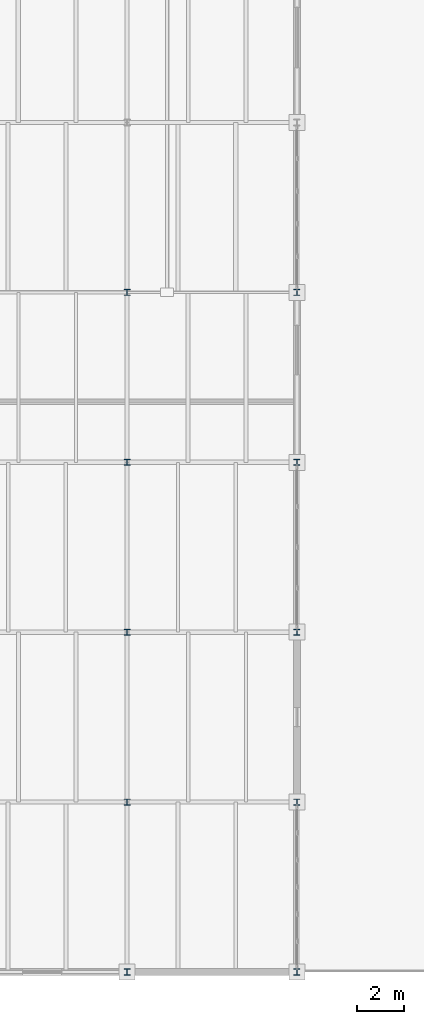
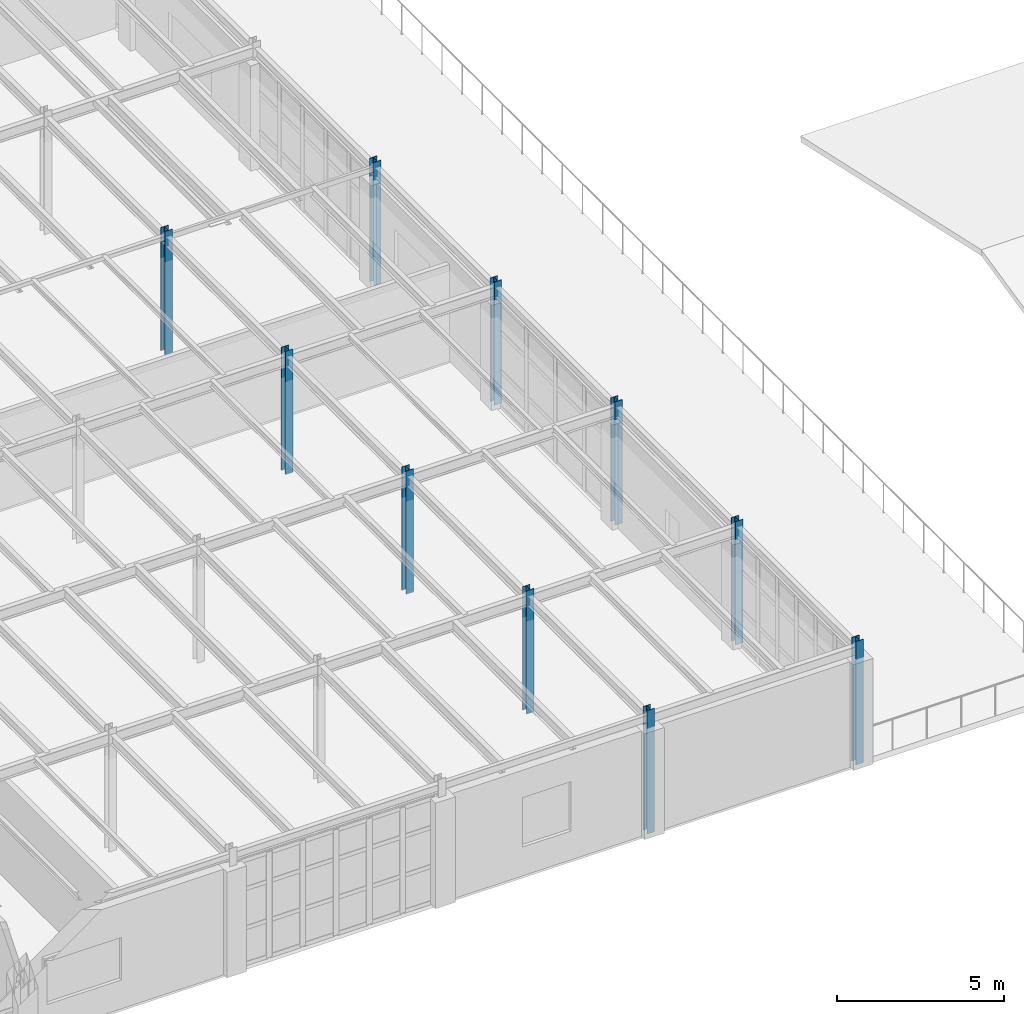
# One storey, part 3 of 36: 10 columns.
"""IFC4 building model written with IfcOpenShell, lengths in metres."""

from ifc_helpers import new_model, si_unit, direction, frame, origin, origin_2d, place, context, subcontext, project, spatial, i_section, extrude, material, material_profile, profile_set, type_object, element, save


model = new_model("IFC4")

# Units and contexts
model_context = context("Model", 3, precision=1e-05, world=origin(), true_north=direction((0.0, 1.0)))
body_context = subcontext(model_context, "Body", "Model", "MODEL_VIEW")
ifc_project = project(units=[si_unit("LENGTHUNIT", "METRE"), si_unit("AREAUNIT", "SQUARE_METRE"), si_unit("VOLUMEUNIT", "CUBIC_METRE"), si_unit("PLANEANGLEUNIT", "RADIAN"), si_unit("MASSUNIT", "GRAM", prefix="KILO")], contexts=[model_context])

# Site, building, storey
site_placement = place(None, origin())
site = spatial("IfcSite", under=ifc_project, at=site_placement, CompositionType="ELEMENT")
building_placement = place(site_placement, origin())
building = spatial("IfcBuilding", under=site, at=building_placement, Name="Kemerveld Promenade Tramway Depot", CompositionType="ELEMENT")
storey_placement = place(building_placement, frame((0.0, 0.0, 14.39990234375)))
storey = spatial("IfcBuildingStorey", under=building, at=storey_placement, Name="L03", CompositionType="ELEMENT", Elevation=14.39990234375)

# Columns
ifc_material = material(Name="Steel S355", Category="steel")
ifc_material_profile = material_profile(ifc_material, i_section(OverallWidth=0.25634765625, OverallDepth=0.26025390625, WebThickness=0.01025390625, FlangeThickness=0.017333984375, FilletRadius=0.0126953125, at=origin_2d()), Name="254x254x89 UC")
ifc_profile_set = profile_set([ifc_material_profile], Name="Steel S355")
column_type = type_object("IfcColumnType", Name="COL-S08", PredefinedType="COLUMN", material=ifc_profile_set)
for number, where, z_axis, x_axis, name in (
    (1, (36.0, 0.0, 0.0), (0.0, 0.0, 1.0), (1.0, 0.0, 0.0), "COL-L03-06-A"),
    (2, (36.0, 7.199951171875, 0.0), (0.0, 0.0, 1.0), (1.0, 0.0, 0.0), "COL-L03-06-B"),
    (3, (36.0, 14.39990234375, 0.0), (0.0, 0.0, 1.0), (1.0, 0.0, 0.0), "COL-L03-06-C"),
    (4, (36.0, 21.60009765625, 0.0), (0.0, 0.0, 1.0), (1.0, 0.0, 0.0), "COL-L03-06-D"),
    (5, (36.0, 28.800048828125, 0.0), (0.0, 0.0, 1.0), (1.0, 0.0, 0.0), "COL-L03-06-E"),
    (6, (43.199951171875, 0.0, 0.0), (0.0, 0.0, 1.0), (1.0, 0.0, 0.0), "COL-L03-07-A"),
    (7, (43.199951171875, 7.199951171875, 0.0), (0.0, 0.0, 1.0), (1.0, 0.0, 0.0), "COL-L03-07-B"),
    (8, (43.199951171875, 14.39990234375, 0.0), (0.0, 0.0, 1.0), (1.0, 0.0, 0.0), "COL-L03-07-C"),
    (9, (43.199951171875, 21.60009765625, 0.0), (0.0, 0.0, 1.0), (1.0, 0.0, 0.0), "COL-L03-07-D"),
    (10, (43.199951171875, 28.800048828125, 0.0), (0.0, 0.0, 1.0), (1.0, 0.0, 0.0), "COL-L03-07-E"),
):
    element("IfcColumn", number, at=place(storey_placement, frame(where, z_axis=z_axis, x_axis=x_axis)), inside=storey, type_object=column_type, Name=name, PredefinedType="COLUMN", context=body_context, shape_type="SweptSolid", body=[
        extrude(i_section(OverallWidth=0.25634765625, OverallDepth=0.26025390625, WebThickness=0.01025390625, FlangeThickness=0.017333984375, FilletRadius=0.0126953125, at=origin_2d()), origin(), (0.0, 0.0, 1.0), 4.5),
    ])

save(model, "model.ifc")
